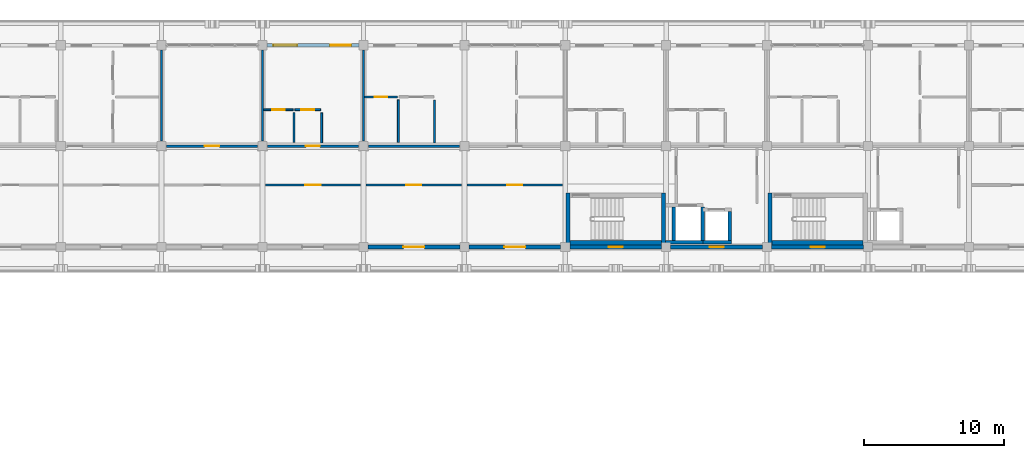
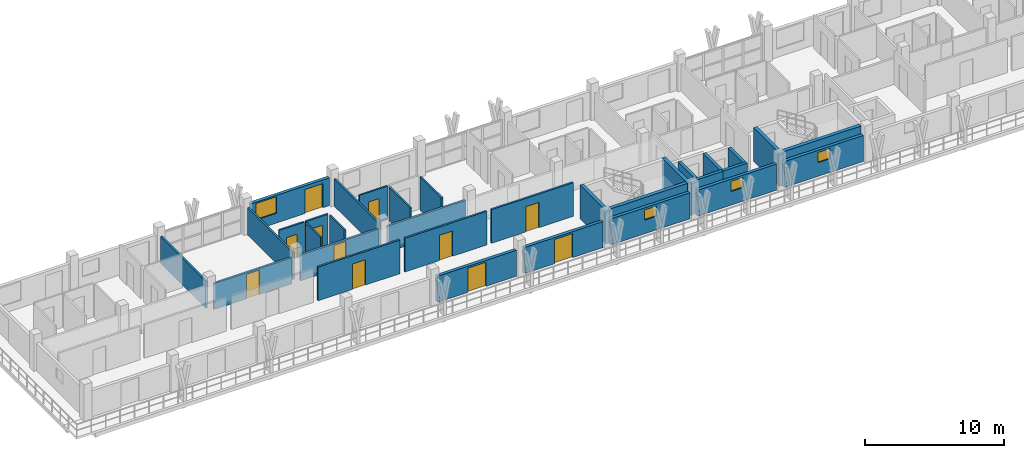
# One storey, part 46 of 78: 32 walls, 11 doors, 4 windows, 15 openings.
"""IFC4 building model written with IfcOpenShell, lengths in metres."""

from ifc_helpers import new_model, si_unit, direction, frame, frame_2d, origin, place, context, subcontext, project, spatial, rectangle, extrude, material, layer, layer_set, type_object, element, fill, save


model = new_model("IFC4")

# Units and contexts
model_context = context("Model", 3, precision=1e-05, world=origin(), true_north=direction((0.0, 1.0)))
body_context = subcontext(model_context, "Body", "Model", "MODEL_VIEW")
ifc_project = project(units=[si_unit("LENGTHUNIT", "METRE"), si_unit("AREAUNIT", "SQUARE_METRE"), si_unit("VOLUMEUNIT", "CUBIC_METRE"), si_unit("PLANEANGLEUNIT", "RADIAN"), si_unit("MASSUNIT", "GRAM", prefix="KILO")], contexts=[model_context])

# Site, building, storey
site_placement = place(None, origin())
site = spatial("IfcSite", under=ifc_project, at=site_placement, CompositionType="ELEMENT")
building_placement = place(site_placement, origin())
building = spatial("IfcBuilding", under=site, at=building_placement, Name="Suanplinth Sawtooth Commons", CompositionType="ELEMENT")
storey_placement = place(building_placement, frame((0.0, 0.0, 15.39990234375)))
storey = spatial("IfcBuildingStorey", under=building, at=storey_placement, Name="L04", CompositionType="ELEMENT", Elevation=15.39990234375)

# Walls
ifc_material_1 = material(Name="Concrete C40/50", Category="concrete")
ifc_layer_1 = layer(ifc_material_1, 0.300048828125, Name="Standard RC stair and lift core wall 300mm")
ifc_layer_set_1 = layer_set([ifc_layer_1], Name="Concrete C40/50")
wall_type_1 = type_object("IfcWallType", Name="W-CR02", PredefinedType="SHEAR", material=ifc_layer_set_1)
wall_1_placement = place(storey_placement, frame((43.550048828125, 108.300048828125, 0.0), z_axis=(0.0, 0.0, 1.0), x_axis=(1.0, 0.0, 0.0)))
element("IfcWall", 1, at=wall_1_placement, inside=storey, type_object=wall_type_1, Name="W-L04-C-A1-STS", PredefinedType="SHEAR", context=body_context, shape_type="SweptSolid", body=[
    extrude(rectangle(XDim=6.5, YDim=0.300048828125, at=frame_2d((3.25, 0.0))), origin(), (0.0, 0.0, 1.0), 2.9501953125),
])
for number, where, z_axis, x_axis, name in (
    (2, (43.39990234375, 108.14990234375, 0.0), (0.0, 0.0, 1.0), (0.0, 1.0, 0.0), "W-L04-C-A1-STW"),
    (3, (50.199951171875, 108.14990234375, 0.0), (0.0, 0.0, 1.0), (0.0, 1.0, 0.0), "W-L04-C-A1-STE"),
):
    element("IfcWall", number, at=place(storey_placement, frame(where, z_axis=z_axis, x_axis=x_axis)), inside=storey, type_object=wall_type_1, Name=name, PredefinedType="SHEAR", context=body_context, shape_type="SweptSolid", body=[
        extrude(rectangle(XDim=3.7001953125, YDim=0.300048828125, at=frame_2d((1.85009765625, 0.0))), origin(), (0.0, 0.0, 1.0), 2.9501953125),
    ])
wall_2_placement = place(storey_placement, frame((57.949951171875, 108.300048828125, 0.0), z_axis=(0.0, 0.0, 1.0), x_axis=(1.0, 0.0, 0.0)))
element("IfcWall", 4, at=wall_2_placement, inside=storey, type_object=wall_type_1, Name="W-L04-C-A2-STS", PredefinedType="SHEAR", context=body_context, shape_type="SweptSolid", body=[
    extrude(rectangle(XDim=6.5, YDim=0.300048828125, at=frame_2d((3.25, 0.0))), origin(), (0.0, 0.0, 1.0), 2.9501953125),
])
wall_3_placement = place(storey_placement, frame((57.800048828125, 108.14990234375, 0.0), z_axis=(0.0, 0.0, 1.0), x_axis=(0.0, 1.0, 0.0)))
element("IfcWall", 5, at=wall_3_placement, inside=storey, type_object=wall_type_1, Name="W-L04-C-A2-STW", PredefinedType="SHEAR", context=body_context, shape_type="SweptSolid", body=[
    extrude(rectangle(XDim=3.7001953125, YDim=0.300048828125, at=frame_2d((1.85009765625, 0.0))), origin(), (0.0, 0.0, 1.0), 2.9501953125),
])

# Wall, openings, door, window
ifc_material_2 = material(Name="Precast concrete C40/50", Category="concrete")
ifc_layer_2 = layer(ifc_material_2, 0.260009765625, Name="Insulated precast courtyard facade wall 260mm")
ifc_layer_set_2 = layer_set([ifc_layer_2], Name="Precast concrete C40/50")
wall_type_2 = type_object("IfcWallType", Name="W-EX02", PredefinedType="ELEMENTEDWALL", material=ifc_layer_set_2)
wall_4_placement = place(storey_placement, frame((21.925048828125, 122.39990234375, 0.0), z_axis=(0.0, 0.0, 1.0), x_axis=(1.0, 0.0, 0.0)))
wall_4 = element("IfcWall", 6, at=wall_4_placement, inside=storey, type_object=wall_type_2, Name="Facade Wall W-L04-A-N-3", PredefinedType="ELEMENTEDWALL", context=body_context, shape_type="SweptSolid", body=[
    extrude(rectangle(XDim=6.550048828125, YDim=0.260009765625, at=frame_2d((3.27490234375, 0.0))), origin(), (0.0, 0.0, 1.0), 2.43017578125),
])
opening_1_placement = place(wall_4_placement, frame((4.5, 0.0, 0.0)))
opening_1 = element("IfcOpeningElement", 7, at=opening_1_placement, cuts=wall_4, Name="Opening ED0314", PredefinedType="OPENING", context=body_context, shape_type="SweptSolid", body=[
    extrude(rectangle(XDim=1.5, YDim=2.1201171875, at=frame_2d((0.75, 1.06005859375))), frame((0.0, 0.14501953125, 0.0), z_axis=(0.0, -1.0, 0.0), x_axis=(1.0, 0.0, 0.0)), (0.0, 0.0, 1.0), 0.289794921875),
])
opening_2_placement = place(wall_4_placement, frame((0.449951171875, 0.0, 0.860107421875)))
opening_2 = element("IfcOpeningElement", 8, at=opening_2_placement, cuts=wall_4, Name="Opening W0416", PredefinedType="OPENING", context=body_context, shape_type="SweptSolid", body=[
    extrude(rectangle(XDim=1.699951171875, YDim=1.449951171875, at=frame_2d((0.85009765625, 0.72509765625))), frame((0.0, 0.14501953125, 0.0), z_axis=(0.0, -1.0, 0.0), x_axis=(1.0, 0.0, 0.0)), (0.0, 0.0, 1.0), 0.289794921875),
])
ifc_material_3 = material(Name="Anodized aluminium and low-E glass", Category="aluminium")
door_type_1 = type_object("IfcDoorType", Name="SD-03", OperationType="SLIDING_TO_LEFT", PredefinedType="DOOR", material=ifc_material_3)
door_1_placement = place(opening_1_placement, frame((1.5, 0.0, 0.0), z_axis=(0.0, 0.0, 1.0), x_axis=(-1.0, 0.0, 0.0)))
door_1 = element("IfcDoor", 9, at=door_1_placement, inside=storey, type_object=door_type_1, Name="Balcony Sliding Door L04-A-N-3", OperationType="SLIDING_TO_LEFT", OverallHeight=2.1201171875, OverallWidth=1.5, PredefinedType="DOOR", context=body_context, shape_type="SweptSolid", body=[
    extrude(rectangle(XDim=1.5, YDim=2.1201171875, at=frame_2d((0.75, 1.06005859375))), frame((0.0, 0.02490234375, 0.0), z_axis=(0.0, -1.0, 0.0), x_axis=(1.0, 0.0, 0.0)), (0.0, 0.0, 1.0), 0.050048828125),
])
fill(opening_1, door_1)
ifc_material_4 = material(Name="Thermally broken aluminium and low-E double glazing", Category="aluminium")
window_type_1 = type_object("IfcWindowType", Name="WN-15", PartitioningType="DOUBLE_PANEL_VERTICAL", PredefinedType="WINDOW", material=ifc_material_4)
window_1_placement = place(opening_2_placement, origin())
window_1 = element("IfcWindow", 10, at=window_1_placement, inside=storey, type_object=window_type_1, Name="Window L04-A-N-3", OverallHeight=1.449951171875, OverallWidth=1.699951171875, PartitioningType="DOUBLE_PANEL_VERTICAL", PredefinedType="WINDOW", context=body_context, shape_type="SweptSolid", body=[
    extrude(rectangle(XDim=1.699951171875, YDim=1.449951171875, at=frame_2d((0.85009765625, 0.72509765625))), frame((0.0, 0.030029296875, 0.0), z_axis=(0.0, -1.0, 0.0), x_axis=(1.0, 0.0, 0.0)), (0.0, 0.0, 1.0), 0.06005859375),
])
fill(opening_2, window_1)

# Wall, opening, door
wall_5_placement = place(storey_placement, frame((29.125, 108.0, 0.0), z_axis=(0.0, 0.0, 1.0), x_axis=(1.0, 0.0, 0.0)))
wall_5 = element("IfcWall", 11, at=wall_5_placement, inside=storey, type_object=wall_type_2, Name="Courtyard Wall W-L04-A-S-4", PredefinedType="ELEMENTEDWALL", context=body_context, shape_type="SweptSolid", body=[
    extrude(rectangle(XDim=6.550048828125, YDim=0.260009765625, at=frame_2d((3.27490234375, 0.0))), origin(), (0.0, 0.0, 1.0), 2.28515625),
])
opening_3_placement = place(wall_5_placement, frame((2.52490234375, 0.0, 0.0)))
opening_3 = element("IfcOpeningElement", 12, at=opening_3_placement, cuts=wall_5, Name="Opening ED0317", PredefinedType="OPENING", context=body_context, shape_type="SweptSolid", body=[
    extrude(rectangle(XDim=1.5, YDim=2.1201171875, at=frame_2d((0.75, 1.06005859375))), frame((0.0, 0.14501953125, 0.0), z_axis=(0.0, -1.0, 0.0), x_axis=(1.0, 0.0, 0.0)), (0.0, 0.0, 1.0), 0.289794921875),
])
door_2_placement = place(opening_3_placement, frame((1.5, 0.0, 0.0), z_axis=(0.0, 0.0, 1.0), x_axis=(-1.0, 0.0, 0.0)))
door_2 = element("IfcDoor", 13, at=door_2_placement, inside=storey, type_object=door_type_1, Name="Courtyard Balcony Sliding Door L04-A-S-4", OperationType="SLIDING_TO_LEFT", OverallHeight=2.1201171875, OverallWidth=1.5, PredefinedType="DOOR", context=body_context, shape_type="SweptSolid", body=[
    extrude(rectangle(XDim=1.5, YDim=2.1201171875, at=frame_2d((0.75, 1.06005859375))), frame((0.0, 0.02490234375, 0.0), z_axis=(0.0, -1.0, 0.0), x_axis=(1.0, 0.0, 0.0)), (0.0, 0.0, 1.0), 0.050048828125),
])
fill(opening_3, door_2)

wall_6_placement = place(storey_placement, frame((36.324951171875, 108.0, 0.0), z_axis=(0.0, 0.0, 1.0), x_axis=(1.0, 0.0, 0.0)))
wall_6 = element("IfcWall", 14, at=wall_6_placement, inside=storey, type_object=wall_type_2, Name="Courtyard Wall W-L04-A-S-5", PredefinedType="ELEMENTEDWALL", context=body_context, shape_type="SweptSolid", body=[
    extrude(rectangle(XDim=6.550048828125, YDim=0.260009765625, at=frame_2d((3.27490234375, 0.0))), origin(), (0.0, 0.0, 1.0), 2.28515625),
])
opening_4_placement = place(wall_6_placement, frame((2.52490234375, 0.0, 0.0)))
opening_4 = element("IfcOpeningElement", 15, at=opening_4_placement, cuts=wall_6, Name="Opening ED0318", PredefinedType="OPENING", context=body_context, shape_type="SweptSolid", body=[
    extrude(rectangle(XDim=1.5, YDim=2.1201171875, at=frame_2d((0.75, 1.06005859375))), frame((0.0, 0.14501953125, 0.0), z_axis=(0.0, -1.0, 0.0), x_axis=(1.0, 0.0, 0.0)), (0.0, 0.0, 1.0), 0.289794921875),
])
door_3_placement = place(opening_4_placement, frame((1.5, 0.0, 0.0), z_axis=(0.0, 0.0, 1.0), x_axis=(-1.0, 0.0, 0.0)))
door_3 = element("IfcDoor", 16, at=door_3_placement, inside=storey, type_object=door_type_1, Name="Courtyard Balcony Sliding Door L04-A-S-5", OperationType="SLIDING_TO_LEFT", OverallHeight=2.1201171875, OverallWidth=1.5, PredefinedType="DOOR", context=body_context, shape_type="SweptSolid", body=[
    extrude(rectangle(XDim=1.5, YDim=2.1201171875, at=frame_2d((0.75, 1.06005859375))), frame((0.0, 0.02490234375, 0.0), z_axis=(0.0, -1.0, 0.0), x_axis=(1.0, 0.0, 0.0)), (0.0, 0.0, 1.0), 0.050048828125),
])
fill(opening_4, door_3)

# Wall, opening, window
wall_7_placement = place(storey_placement, frame((43.52490234375, 108.0, 0.0), z_axis=(0.0, 0.0, 1.0), x_axis=(1.0, 0.0, 0.0)))
wall_7 = element("IfcWall", 17, at=wall_7_placement, inside=storey, type_object=wall_type_2, Name="Courtyard Wall W-L04-A-S-6", PredefinedType="ELEMENTEDWALL", context=body_context, shape_type="SweptSolid", body=[
    extrude(rectangle(XDim=6.550048828125, YDim=0.260009765625, at=frame_2d((3.27490234375, 0.0))), origin(), (0.0, 0.0, 1.0), 2.28515625),
])
opening_5_placement = place(wall_7_placement, frame((2.77490234375, 0.0, 1.199951171875)))
opening_5 = element("IfcOpeningElement", 18, at=opening_5_placement, cuts=wall_7, Name="Opening W0419", PredefinedType="OPENING", context=body_context, shape_type="SweptSolid", body=[
    extrude(rectangle(XDim=1.0, YDim=0.89990234375, at=frame_2d((0.5, 0.449951171875))), frame((0.0, 0.14501953125, 0.0), z_axis=(0.0, -1.0, 0.0), x_axis=(1.0, 0.0, 0.0)), (0.0, 0.0, 1.0), 0.289794921875),
])
window_type_2 = type_object("IfcWindowType", Name="WN-12", PartitioningType="SINGLE_PANEL", PredefinedType="WINDOW", material=ifc_material_4)
window_2_placement = place(opening_5_placement, origin())
window_2 = element("IfcWindow", 19, at=window_2_placement, inside=storey, type_object=window_type_2, Name="Core Daylight Window L04-A-6", OverallHeight=0.89990234375, OverallWidth=1.0, PartitioningType="SINGLE_PANEL", PredefinedType="WINDOW", context=body_context, shape_type="SweptSolid", body=[
    extrude(rectangle(XDim=1.0, YDim=0.89990234375, at=frame_2d((0.5, 0.449951171875))), frame((0.0, 0.030029296875, 0.0), z_axis=(0.0, -1.0, 0.0), x_axis=(1.0, 0.0, 0.0)), (0.0, 0.0, 1.0), 0.06005859375),
])
fill(opening_5, window_2)

wall_8_placement = place(storey_placement, frame((50.72509765625, 108.0, 0.0), z_axis=(0.0, 0.0, 1.0), x_axis=(1.0, 0.0, 0.0)))
wall_8 = element("IfcWall", 20, at=wall_8_placement, inside=storey, type_object=wall_type_2, Name="Courtyard Wall W-L04-A-S-7", PredefinedType="ELEMENTEDWALL", context=body_context, shape_type="SweptSolid", body=[
    extrude(rectangle(XDim=6.5498046875, YDim=0.260009765625, at=frame_2d((3.27490234375, 0.0))), origin(), (0.0, 0.0, 1.0), 2.28515625),
])
opening_6_placement = place(wall_8_placement, frame((2.77490234375, 0.0, 1.199951171875)))
opening_6 = element("IfcOpeningElement", 21, at=opening_6_placement, cuts=wall_8, Name="Opening W0421", PredefinedType="OPENING", context=body_context, shape_type="SweptSolid", body=[
    extrude(rectangle(XDim=1.0, YDim=0.89990234375, at=frame_2d((0.5, 0.449951171875))), frame((0.0, 0.14501953125, 0.0), z_axis=(0.0, -1.0, 0.0), x_axis=(1.0, 0.0, 0.0)), (0.0, 0.0, 1.0), 0.289794921875),
])
window_3_placement = place(opening_6_placement, origin())
window_3 = element("IfcWindow", 22, at=window_3_placement, inside=storey, type_object=window_type_2, Name="Core Daylight Window L04-A-7", OverallHeight=0.89990234375, OverallWidth=1.0, PartitioningType="SINGLE_PANEL", PredefinedType="WINDOW", context=body_context, shape_type="SweptSolid", body=[
    extrude(rectangle(XDim=1.0, YDim=0.89990234375, at=frame_2d((0.5, 0.449951171875))), frame((0.0, 0.030029296875, 0.0), z_axis=(0.0, -1.0, 0.0), x_axis=(1.0, 0.0, 0.0)), (0.0, 0.0, 1.0), 0.06005859375),
])
fill(opening_6, window_3)

wall_9_placement = place(storey_placement, frame((57.925048828125, 108.0, 0.0), z_axis=(0.0, 0.0, 1.0), x_axis=(1.0, 0.0, 0.0)))
wall_9 = element("IfcWall", 23, at=wall_9_placement, inside=storey, type_object=wall_type_2, Name="Courtyard Wall W-L04-A-S-8", PredefinedType="ELEMENTEDWALL", context=body_context, shape_type="SweptSolid", body=[
    extrude(rectangle(XDim=6.550048828125, YDim=0.260009765625, at=frame_2d((3.27490234375, 0.0))), origin(), (0.0, 0.0, 1.0), 2.28515625),
])
opening_7_placement = place(wall_9_placement, frame((2.77490234375, 0.0, 1.199951171875)))
opening_7 = element("IfcOpeningElement", 24, at=opening_7_placement, cuts=wall_9, Name="Opening W0422", PredefinedType="OPENING", context=body_context, shape_type="SweptSolid", body=[
    extrude(rectangle(XDim=1.0, YDim=0.89990234375, at=frame_2d((0.5, 0.449951171875))), frame((0.0, 0.14501953125, 0.0), z_axis=(0.0, -1.0, 0.0), x_axis=(1.0, 0.0, 0.0)), (0.0, 0.0, 1.0), 0.289794921875),
])
window_4_placement = place(opening_7_placement, origin())
window_4 = element("IfcWindow", 25, at=window_4_placement, inside=storey, type_object=window_type_2, Name="Core Daylight Window L04-A-8", OverallHeight=0.89990234375, OverallWidth=1.0, PartitioningType="SINGLE_PANEL", PredefinedType="WINDOW", context=body_context, shape_type="SweptSolid", body=[
    extrude(rectangle(XDim=1.0, YDim=0.89990234375, at=frame_2d((0.5, 0.449951171875))), frame((0.0, 0.030029296875, 0.0), z_axis=(0.0, -1.0, 0.0), x_axis=(1.0, 0.0, 0.0)), (0.0, 0.0, 1.0), 0.06005859375),
])
fill(opening_7, window_4)

# Wall, opening, door
ifc_layer_3 = layer(ifc_material_2, 0.159912109375, Name="Fire-rated corridor and lobby wall 160mm")
ifc_layer_set_3 = layer_set([ifc_layer_3], Name="Precast concrete C40/50")
wall_type_3 = type_object("IfcWallType", Name="W-FW01", PredefinedType="PARTITIONING", material=ifc_layer_set_3)
wall_10_placement = place(storey_placement, frame((14.7548828125, 115.199951171875, 0.0), z_axis=(0.0, 0.0, 1.0), x_axis=(1.0, 0.0, 0.0)))
wall_10 = element("IfcWall", 26, at=wall_10_placement, inside=storey, type_object=wall_type_3, Name="W-A-L04-U02-COR", PredefinedType="PARTITIONING", context=body_context, shape_type="SweptSolid", body=[
    extrude(rectangle(XDim=6.490234375, YDim=0.159912109375, at=frame_2d((3.2451171875, 0.0))), origin(), (0.0, 0.0, 1.0), 2.28515625),
])
opening_8_placement = place(wall_10_placement, frame((2.719970703125, 0.0, 0.0)))
opening_8 = element("IfcOpeningElement", 27, at=opening_8_placement, cuts=wall_10, Name="Opening FD1046", PredefinedType="OPENING", context=body_context, shape_type="SweptSolid", body=[
    extrude(rectangle(XDim=1.050048828125, YDim=2.14990234375, at=frame_2d((0.52490234375, 1.074951171875))), frame((0.0, 0.0947265625, 0.0), z_axis=(0.0, -1.0, 0.0), x_axis=(1.0, 0.0, 0.0)), (0.0, 0.0, 1.0), 0.189697265625),
])
ifc_material_5 = material(Name="Teak hardwood fire-rated door assembly", Category="wood")
door_type_2 = type_object("IfcDoorType", Name="FD-04", OperationType="NOTDEFINED", PredefinedType="DOOR", material=ifc_material_5)
door_4_placement = place(opening_8_placement, origin())
door_4 = element("IfcDoor", 28, at=door_4_placement, inside=storey, type_object=door_type_2, Name="Unit Entrance Door FD1046", OperationType="SINGLE_SWING_RIGHT", OverallHeight=2.14990234375, OverallWidth=1.050048828125, PredefinedType="DOOR", context=body_context, shape_type="SweptSolid", body=[
    extrude(rectangle(XDim=1.050048828125, YDim=2.14990234375, at=frame_2d((0.52490234375, 1.074951171875))), frame((0.0, 0.02490234375, 0.0), z_axis=(0.0, -1.0, 0.0), x_axis=(1.0, 0.0, 0.0)), (0.0, 0.0, 1.0), 0.050048828125),
])
fill(opening_8, door_4)

wall_11_placement = place(storey_placement, frame((21.955078125, 115.199951171875, 0.0), z_axis=(0.0, 0.0, 1.0), x_axis=(1.0, 0.0, 0.0)))
wall_11 = element("IfcWall", 29, at=wall_11_placement, inside=storey, type_object=wall_type_3, Name="W-A-L04-U03-COR", PredefinedType="PARTITIONING", context=body_context, shape_type="SweptSolid", body=[
    extrude(rectangle(XDim=6.489990234375, YDim=0.159912109375, at=frame_2d((3.2451171875, 0.0))), origin(), (0.0, 0.0, 1.0), 2.28515625),
])
opening_9_placement = place(wall_11_placement, frame((2.7451171875, 0.0, 0.0)))
opening_9 = element("IfcOpeningElement", 30, at=opening_9_placement, cuts=wall_11, Name="Opening FD1047", PredefinedType="OPENING", context=body_context, shape_type="SweptSolid", body=[
    extrude(rectangle(XDim=1.0, YDim=2.14990234375, at=frame_2d((0.5, 1.074951171875))), frame((0.0, 0.0947265625, 0.0), z_axis=(0.0, -1.0, 0.0), x_axis=(1.0, 0.0, 0.0)), (0.0, 0.0, 1.0), 0.189697265625),
])
door_type_3 = type_object("IfcDoorType", Name="FD-03", OperationType="NOTDEFINED", PredefinedType="DOOR", material=ifc_material_5)
door_5_placement = place(opening_9_placement, origin())
door_5 = element("IfcDoor", 31, at=door_5_placement, inside=storey, type_object=door_type_3, Name="Unit Entrance Door FD1047", OperationType="SINGLE_SWING_LEFT", OverallHeight=2.14990234375, OverallWidth=1.0, PredefinedType="DOOR", context=body_context, shape_type="SweptSolid", body=[
    extrude(rectangle(XDim=1.0, YDim=2.14990234375, at=frame_2d((0.5, 1.074951171875))), frame((0.0, 0.02490234375, 0.0), z_axis=(0.0, -1.0, 0.0), x_axis=(1.0, 0.0, 0.0)), (0.0, 0.0, 1.0), 0.050048828125),
])
fill(opening_9, door_5)

# Wall
wall_12_placement = place(storey_placement, frame((29.155029296875, 115.199951171875, 0.0), z_axis=(0.0, 0.0, 1.0), x_axis=(1.0, 0.0, 0.0)))
element("IfcWall", 32, at=wall_12_placement, inside=storey, type_object=wall_type_3, Name="W-A-L04-U04-COR-S1", PredefinedType="PARTITIONING", context=body_context, shape_type="SweptSolid", body=[
    extrude(rectangle(XDim=6.489990234375, YDim=0.159912109375, at=frame_2d((3.2451171875, 0.0))), origin(), (0.0, 0.0, 1.0), 2.28515625),
])

# Wall, opening, door
wall_13_placement = place(storey_placement, frame((21.800048828125, 112.419921875, 0.0), z_axis=(0.0, 0.0, 1.0), x_axis=(1.0, 0.0, 0.0)))
wall_13 = element("IfcWall", 33, at=wall_13_placement, inside=storey, type_object=wall_type_3, Name="W-A-L04-COURTROOM-15-COR", PredefinedType="PARTITIONING", context=body_context, shape_type="SweptSolid", body=[
    extrude(rectangle(XDim=6.800048828125, YDim=0.159912109375, at=frame_2d((3.39990234375, 0.0))), origin(), (0.0, 0.0, 1.0), 2.9501953125),
])
opening_10_placement = place(wall_13_placement, frame((2.860107421875, 0.0, 0.0)))
opening_10 = element("IfcOpeningElement", 34, at=opening_10_placement, cuts=wall_13, Name="Opening D1086", PredefinedType="OPENING", context=body_context, shape_type="SweptSolid", body=[
    extrude(rectangle(XDim=1.080078125, YDim=2.219970703125, at=frame_2d((0.5400390625, 1.10986328125))), frame((0.0, 0.0947265625, 0.0), z_axis=(0.0, -1.0, 0.0), x_axis=(1.0, 0.0, 0.0)), (0.0, 0.0, 1.0), 0.189697265625),
])
ifc_material_6 = material(Name="Teak hardwood", Category="wood")
door_type_4 = type_object("IfcDoorType", Name="D-17", OperationType="NOTDEFINED", PredefinedType="DOOR", material=ifc_material_6)
door_6_placement = place(opening_10_placement, frame((1.080078125, 0.0, 0.0), z_axis=(0.0, 0.0, 1.0), x_axis=(-1.0, 0.0, 0.0)))
door_6 = element("IfcDoor", 35, at=door_6_placement, inside=storey, type_object=door_type_4, Name="Study Studio Door D1086", OperationType="SINGLE_SWING_RIGHT", OverallHeight=2.219970703125, OverallWidth=1.080078125, PredefinedType="DOOR", context=body_context, shape_type="SweptSolid", body=[
    extrude(rectangle(XDim=1.080078125, YDim=2.219970703125, at=frame_2d((0.5400390625, 1.10986328125))), frame((0.0, 0.02490234375, 0.0), z_axis=(0.0, -1.0, 0.0), x_axis=(1.0, 0.0, 0.0)), (0.0, 0.0, 1.0), 0.050048828125),
])
fill(opening_10, door_6)

wall_14_placement = place(storey_placement, frame((29.0, 112.419921875, 0.0), z_axis=(0.0, 0.0, 1.0), x_axis=(1.0, 0.0, 0.0)))
wall_14 = element("IfcWall", 36, at=wall_14_placement, inside=storey, type_object=wall_type_3, Name="W-A-L04-COURTROOM-16-COR", PredefinedType="PARTITIONING", context=body_context, shape_type="SweptSolid", body=[
    extrude(rectangle(XDim=6.800048828125, YDim=0.159912109375, at=frame_2d((3.39990234375, 0.0))), origin(), (0.0, 0.0, 1.0), 2.9501953125),
])
opening_11_placement = place(wall_14_placement, frame((2.860107421875, 0.0, 0.0)))
opening_11 = element("IfcOpeningElement", 37, at=opening_11_placement, cuts=wall_14, Name="Opening D1087", PredefinedType="OPENING", context=body_context, shape_type="SweptSolid", body=[
    extrude(rectangle(XDim=1.080078125, YDim=2.219970703125, at=frame_2d((0.5400390625, 1.10986328125))), frame((0.0, 0.0947265625, 0.0), z_axis=(0.0, -1.0, 0.0), x_axis=(1.0, 0.0, 0.0)), (0.0, 0.0, 1.0), 0.189697265625),
])
door_7_placement = place(opening_11_placement, frame((1.080078125, 0.0, 0.0), z_axis=(0.0, 0.0, 1.0), x_axis=(-1.0, 0.0, 0.0)))
door_7 = element("IfcDoor", 38, at=door_7_placement, inside=storey, type_object=door_type_4, Name="Study Studio Door D1087", OperationType="SINGLE_SWING_LEFT", OverallHeight=2.219970703125, OverallWidth=1.080078125, PredefinedType="DOOR", context=body_context, shape_type="SweptSolid", body=[
    extrude(rectangle(XDim=1.080078125, YDim=2.219970703125, at=frame_2d((0.5400390625, 1.10986328125))), frame((0.0, 0.02490234375, 0.0), z_axis=(0.0, -1.0, 0.0), x_axis=(1.0, 0.0, 0.0)), (0.0, 0.0, 1.0), 0.050048828125),
])
fill(opening_11, door_7)

wall_15_placement = place(storey_placement, frame((36.199951171875, 112.419921875, 0.0), z_axis=(0.0, 0.0, 1.0), x_axis=(1.0, 0.0, 0.0)))
wall_15 = element("IfcWall", 39, at=wall_15_placement, inside=storey, type_object=wall_type_3, Name="W-A-L04-COURTROOM-17-COR", PredefinedType="PARTITIONING", context=body_context, shape_type="SweptSolid", body=[
    extrude(rectangle(XDim=6.800048828125, YDim=0.159912109375, at=frame_2d((3.39990234375, 0.0))), origin(), (0.0, 0.0, 1.0), 2.9501953125),
])
opening_12_placement = place(wall_15_placement, frame((2.860107421875, 0.0, 0.0)))
opening_12 = element("IfcOpeningElement", 40, at=opening_12_placement, cuts=wall_15, Name="Opening D1088", PredefinedType="OPENING", context=body_context, shape_type="SweptSolid", body=[
    extrude(rectangle(XDim=1.080078125, YDim=2.219970703125, at=frame_2d((0.5400390625, 1.10986328125))), frame((0.0, 0.0947265625, 0.0), z_axis=(0.0, -1.0, 0.0), x_axis=(1.0, 0.0, 0.0)), (0.0, 0.0, 1.0), 0.189697265625),
])
door_8_placement = place(opening_12_placement, frame((1.080078125, 0.0, 0.0), z_axis=(0.0, 0.0, 1.0), x_axis=(-1.0, 0.0, 0.0)))
door_8 = element("IfcDoor", 41, at=door_8_placement, inside=storey, type_object=door_type_4, Name="Study Studio Door D1088", OperationType="SINGLE_SWING_RIGHT", OverallHeight=2.219970703125, OverallWidth=1.080078125, PredefinedType="DOOR", context=body_context, shape_type="SweptSolid", body=[
    extrude(rectangle(XDim=1.080078125, YDim=2.219970703125, at=frame_2d((0.5400390625, 1.10986328125))), frame((0.0, 0.02490234375, 0.0), z_axis=(0.0, -1.0, 0.0), x_axis=(1.0, 0.0, 0.0)), (0.0, 0.0, 1.0), 0.050048828125),
])
fill(opening_12, door_8)

# Walls
ifc_layer_4 = layer(ifc_material_2, 0.14990234375, Name="Acoustic precast party demising wall 150mm")
ifc_layer_set_4 = layer_set([ifc_layer_4], Name="Precast concrete C40/50")
wall_type_4 = type_object("IfcWallType", Name="W-FW02", PredefinedType="PARTITIONING", material=ifc_layer_set_4)
for number, where, z_axis, x_axis, name in (
    (42, (14.39990234375, 115.554931640625, 0.0), (0.0, 0.0, 1.0), (0.0, 1.0, 0.0), "W-A-L04-U01-PTY"),
    (43, (21.60009765625, 115.554931640625, 0.0), (0.0, 0.0, 1.0), (0.0, 1.0, 0.0), "W-A-L04-U02-PTY"),
    (44, (28.800048828125, 115.554931640625, 0.0), (0.0, 0.0, 1.0), (0.0, 1.0, 0.0), "W-A-L04-U03-PTY"),
):
    element("IfcWall", number, at=place(storey_placement, frame(where, z_axis=z_axis, x_axis=x_axis)), inside=storey, type_object=wall_type_4, Name=name, PredefinedType="PARTITIONING", context=body_context, shape_type="SweptSolid", body=[
        extrude(rectangle(XDim=6.489990234375, YDim=0.14990234375, at=frame_2d((3.2451171875, 0.0))), origin(), (0.0, 0.0, 1.0), 2.385009765625),
    ])

# Wall, opening, door
ifc_material_7 = material(Name="Gypsum plasterboard on steel stud", Category="steel")
ifc_layer_5 = layer(ifc_material_7, 0.139892578125, Name="Fire-rated kitchen partition 140mm")
ifc_layer_set_5 = layer_set([ifc_layer_5], Name="Gypsum plasterboard on steel stud")
wall_type_5 = type_object("IfcWallType", Name="W-PT01", PredefinedType="PARTITIONING", material=ifc_layer_set_5)
wall_16_placement = place(storey_placement, frame((23.89990234375, 117.800048828125, 0.0), z_axis=(0.0, 0.0, 1.0), x_axis=(1.0, 0.0, 0.0)))
wall_16 = element("IfcWall", 45, at=wall_16_placement, inside=storey, type_object=wall_type_5, Name="W-A-L04-U03-KIT1", PredefinedType="PARTITIONING", context=body_context, shape_type="SweptSolid", body=[
    extrude(rectangle(XDim=1.85009765625, YDim=0.139892578125, at=frame_2d((0.925048828125, 0.0))), origin(), (0.0, 0.0, 1.0), 2.9501953125),
])
opening_13_placement = place(wall_16_placement, frame((0.4599609375, 0.0, 0.0)))
opening_13 = element("IfcOpeningElement", 46, at=opening_13_placement, cuts=wall_16, Name="Opening D1049", PredefinedType="OPENING", context=body_context, shape_type="SweptSolid", body=[
    extrude(rectangle(XDim=0.929931640625, YDim=2.139892578125, at=frame_2d((0.46484375, 1.06982421875))), frame((0.0, 0.0849609375, 0.0), z_axis=(0.0, -1.0, 0.0), x_axis=(1.0, 0.0, 0.0)), (0.0, 0.0, 1.0), 0.169677734375),
])
door_type_5 = type_object("IfcDoorType", Name="D-19", OperationType="NOTDEFINED", PredefinedType="DOOR", material=ifc_material_6)
door_9_placement = place(opening_13_placement, frame((0.929931640625, 0.0, 0.0), z_axis=(0.0, 0.0, 1.0), x_axis=(-1.0, 0.0, 0.0)))
door_9 = element("IfcDoor", 47, at=door_9_placement, inside=storey, type_object=door_type_5, Name="Kitchen Door D1049", OperationType="SINGLE_SWING_LEFT", OverallHeight=2.139892578125, OverallWidth=0.929931640625, PredefinedType="DOOR", context=body_context, shape_type="SweptSolid", body=[
    extrude(rectangle(XDim=0.929931640625, YDim=2.139892578125, at=frame_2d((0.46484375, 1.06982421875))), frame((0.0, 0.02490234375, 0.0), z_axis=(0.0, -1.0, 0.0), x_axis=(1.0, 0.0, 0.0)), (0.0, 0.0, 1.0), 0.050048828125),
])
fill(opening_13, door_9)

# Walls
wall_17_placement = place(storey_placement, frame((25.820068359375, 115.429931640625, 0.0), z_axis=(0.0, 0.0, 1.0), x_axis=(0.0, 1.0, 0.0)))
element("IfcWall", 48, at=wall_17_placement, inside=storey, type_object=wall_type_5, Name="W-A-L04-U03-KIT2", PredefinedType="PARTITIONING", context=body_context, shape_type="SweptSolid", body=[
    extrude(rectangle(XDim=2.150146484375, YDim=0.139892578125, at=frame_2d((1.0751953125, 0.0))), origin(), (0.0, 0.0, 1.0), 2.9501953125),
])
wall_18_placement = place(storey_placement, frame((33.8701171875, 115.429931640625, 0.0), z_axis=(0.0, 0.0, 1.0), x_axis=(0.0, 1.0, 0.0)))
element("IfcWall", 49, at=wall_18_placement, inside=storey, type_object=wall_type_5, Name="W-A-L04-U04-KIT2", PredefinedType="PARTITIONING", context=body_context, shape_type="SweptSolid", body=[
    extrude(rectangle(XDim=3.06005859375, YDim=0.139892578125, at=frame_2d((1.530029296875, 0.0))), origin(), (0.0, 0.0, 1.0), 2.9501953125),
])

# Wall, opening, door
ifc_layer_6 = layer(ifc_material_7, 0.1298828125, Name="Moisture-resistant bathroom partition 130mm")
ifc_layer_set_6 = layer_set([ifc_layer_6], Name="Gypsum plasterboard on steel stud")
wall_type_6 = type_object("IfcWallType", Name="W-PT02", PredefinedType="PARTITIONING", material=ifc_layer_set_6)
wall_19_placement = place(storey_placement, frame((21.679931640625, 117.794921875, 0.0), z_axis=(0.0, 0.0, 1.0), x_axis=(1.0, 0.0, 0.0)))
wall_19 = element("IfcWall", 50, at=wall_19_placement, inside=storey, type_object=wall_type_6, Name="W-A-L04-U03-BTH1", PredefinedType="PARTITIONING", context=body_context, shape_type="SweptSolid", body=[
    extrude(rectangle(XDim=2.10009765625, YDim=0.1298828125, at=frame_2d((1.050048828125, 0.0))), origin(), (0.0, 0.0, 1.0), 2.9501953125),
])
opening_14_placement = place(wall_19_placement, frame((0.610107421875, 0.0, 0.0)))
opening_14 = element("IfcOpeningElement", 51, at=opening_14_placement, cuts=wall_19, Name="Opening D1048", PredefinedType="OPENING", context=body_context, shape_type="SweptSolid", body=[
    extrude(rectangle(XDim=0.8798828125, YDim=2.10009765625, at=frame_2d((0.43994140625, 1.050048828125))), frame((0.0, 0.079833984375, 0.0), z_axis=(0.0, -1.0, 0.0), x_axis=(1.0, 0.0, 0.0)), (0.0, 0.0, 1.0), 0.15966796875),
])
door_type_6 = type_object("IfcDoorType", Name="D-14", OperationType="NOTDEFINED", PredefinedType="DOOR", material=ifc_material_6)
door_10_placement = place(opening_14_placement, frame((0.8798828125, 0.0, 0.0), z_axis=(0.0, 0.0, 1.0), x_axis=(-1.0, 0.0, 0.0)))
door_10 = element("IfcDoor", 52, at=door_10_placement, inside=storey, type_object=door_type_6, Name="Bathroom Door D1048", OperationType="SINGLE_SWING_RIGHT", OverallHeight=2.10009765625, OverallWidth=0.8798828125, PredefinedType="DOOR", context=body_context, shape_type="SweptSolid", body=[
    extrude(rectangle(XDim=0.8798828125, YDim=2.10009765625, at=frame_2d((0.43994140625, 1.050048828125))), frame((0.0, 0.02490234375, 0.0), z_axis=(0.0, -1.0, 0.0), x_axis=(1.0, 0.0, 0.0)), (0.0, 0.0, 1.0), 0.050048828125),
])
fill(opening_14, door_10)

# Wall
wall_20_placement = place(storey_placement, frame((23.844970703125, 115.4599609375, 0.0), z_axis=(0.0, 0.0, 1.0), x_axis=(0.0, 1.0, 0.0)))
element("IfcWall", 53, at=wall_20_placement, inside=storey, type_object=wall_type_6, Name="W-A-L04-U03-BTH2", PredefinedType="PARTITIONING", context=body_context, shape_type="SweptSolid", body=[
    extrude(rectangle(XDim=2.130126953125, YDim=0.1298828125, at=frame_2d((1.06494140625, 0.0))), origin(), (0.0, 0.0, 1.0), 2.9501953125),
])

# Wall, opening, door
wall_21_placement = place(storey_placement, frame((28.8798828125, 118.705078125, 0.0), z_axis=(0.0, 0.0, 1.0), x_axis=(1.0, 0.0, 0.0)))
wall_21 = element("IfcWall", 54, at=wall_21_placement, inside=storey, type_object=wall_type_6, Name="W-A-L04-U04-BTH1", PredefinedType="PARTITIONING", context=body_context, shape_type="SweptSolid", body=[
    extrude(rectangle(XDim=2.35009765625, YDim=0.1298828125, at=frame_2d((1.175048828125, 0.0))), origin(), (0.0, 0.0, 1.0), 2.9501953125),
])
opening_15_placement = place(wall_21_placement, frame((0.72509765625, 0.0, 0.0)))
opening_15 = element("IfcOpeningElement", 55, at=opening_15_placement, cuts=wall_21, Name="Opening D1051", PredefinedType="OPENING", context=body_context, shape_type="SweptSolid", body=[
    extrude(rectangle(XDim=0.89990234375, YDim=2.10009765625, at=frame_2d((0.449951171875, 1.050048828125))), frame((0.0, 0.079833984375, 0.0), z_axis=(0.0, -1.0, 0.0), x_axis=(1.0, 0.0, 0.0)), (0.0, 0.0, 1.0), 0.15966796875),
])
door_type_7 = type_object("IfcDoorType", Name="D-01", OperationType="NOTDEFINED", PredefinedType="DOOR", material=ifc_material_6)
door_11_placement = place(opening_15_placement, frame((0.89990234375, 0.0, 0.0), z_axis=(0.0, 0.0, 1.0), x_axis=(-1.0, 0.0, 0.0)))
door_11 = element("IfcDoor", 56, at=door_11_placement, inside=storey, type_object=door_type_7, Name="Bathroom Door D1051", OperationType="SINGLE_SWING_LEFT", OverallHeight=2.10009765625, OverallWidth=0.89990234375, PredefinedType="DOOR", context=body_context, shape_type="SweptSolid", body=[
    extrude(rectangle(XDim=0.89990234375, YDim=2.10009765625, at=frame_2d((0.449951171875, 1.050048828125))), frame((0.0, 0.02490234375, 0.0), z_axis=(0.0, -1.0, 0.0), x_axis=(1.0, 0.0, 0.0)), (0.0, 0.0, 1.0), 0.050048828125),
])
fill(opening_15, door_11)

# Walls
wall_22_placement = place(storey_placement, frame((31.294921875, 115.4599609375, 0.0), z_axis=(0.0, 0.0, 1.0), x_axis=(0.0, 1.0, 0.0)))
element("IfcWall", 57, at=wall_22_placement, inside=storey, type_object=wall_type_6, Name="W-A-L04-U04-BTH2", PredefinedType="PARTITIONING", context=body_context, shape_type="SweptSolid", body=[
    extrude(rectangle(XDim=3.0400390625, YDim=0.1298828125, at=frame_2d((1.52001953125, 0.0))), origin(), (0.0, 0.0, 1.0), 2.9501953125),
])
ifc_layer_7 = layer(ifc_material_2, 0.25, Name="Precast structural shear wall 250mm")
ifc_layer_set_7 = layer_set([ifc_layer_7], Name="Precast concrete C40/50")
wall_type_7 = type_object("IfcWallType", Name="W-SH01", PredefinedType="SHEAR", material=ifc_layer_set_7)
wall_23_placement = place(storey_placement, frame((50.35009765625, 108.324951171875, 0.0), z_axis=(0.0, 0.0, 1.0), x_axis=(1.0, 0.0, 0.0)))
element("IfcWall", 58, at=wall_23_placement, inside=storey, type_object=wall_type_7, Name="W-L04-FL1-S", PredefinedType="SHEAR", context=body_context, shape_type="SweptSolid", body=[
    extrude(rectangle(XDim=2.6748046875, YDim=0.25, at=frame_2d((1.33740234375, 0.0))), origin(), (0.0, 0.0, 1.0), 2.9501953125),
])
for number, where, z_axis, x_axis, name in (
    (59, (50.925048828125, 108.449951171875, 0.0), (0.0, 0.0, 1.0), (0.0, 1.0, 0.0), "W-L04-FL1-W"),
    (60, (53.02490234375, 108.449951171875, 0.0), (0.0, 0.0, 1.0), (0.0, 1.0, 0.0), "W-L04-FL1-DIV"),
):
    element("IfcWall", number, at=place(storey_placement, frame(where, z_axis=z_axis, x_axis=x_axis)), inside=storey, type_object=wall_type_7, Name=name, PredefinedType="SHEAR", context=body_context, shape_type="SweptSolid", body=[
        extrude(rectangle(XDim=2.400146484375, YDim=0.25, at=frame_2d((1.2001953125, 0.0))), origin(), (0.0, 0.0, 1.0), 2.9501953125),
    ])
wall_24_placement = place(storey_placement, frame((53.02490234375, 108.324951171875, 0.0), z_axis=(0.0, 0.0, 1.0), x_axis=(1.0, 0.0, 0.0)))
element("IfcWall", 61, at=wall_24_placement, inside=storey, type_object=wall_type_7, Name="W-L04-LF1-S", PredefinedType="SHEAR", context=body_context, shape_type="SweptSolid", body=[
    extrude(rectangle(XDim=2.025146484375, YDim=0.25, at=frame_2d((1.0126953125, 0.0))), origin(), (0.0, 0.0, 1.0), 2.9501953125),
])
wall_25_placement = place(storey_placement, frame((54.925048828125, 108.449951171875, 0.0), z_axis=(0.0, 0.0, 1.0), x_axis=(0.0, 1.0, 0.0)))
element("IfcWall", 62, at=wall_25_placement, inside=storey, type_object=wall_type_7, Name="W-L04-LF1-E", PredefinedType="SHEAR", context=body_context, shape_type="SweptSolid", body=[
    extrude(rectangle(XDim=2.10009765625, YDim=0.25, at=frame_2d((1.050048828125, 0.0))), origin(), (0.0, 0.0, 1.0), 2.9501953125),
])

save(model, "model.ifc")
